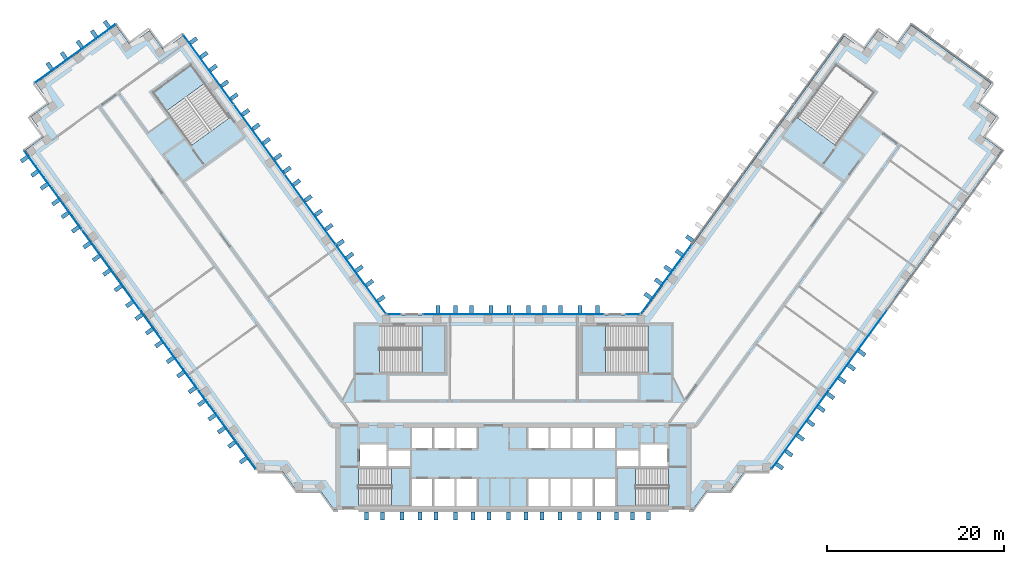
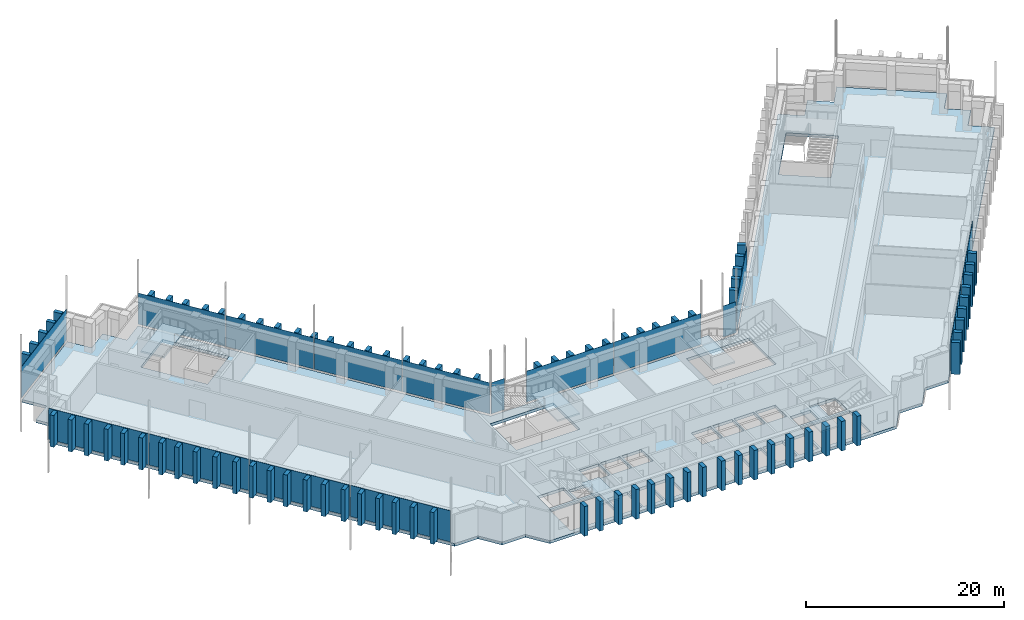
# One storey, part 8 of 18: 103 plates, 6 slabs, 13 elements without a shape of their own.
"""IFC4 building model written with IfcOpenShell, lengths in metres."""

from ifc_helpers import new_model, si_unit, direction, frame, origin, origin_2d, place, context, subcontext, project, spatial, polyline, rectangle, outline, extrude, material, layer, layer_set, type_object, element, aggregate, save


model = new_model("IFC4")

# Units and contexts
model_context = context("Model", 3, precision=1e-05, world=origin(), true_north=direction((0.0, 1.0)))
body_context = subcontext(model_context, "Body", "Model", "MODEL_VIEW")
ifc_project = project(units=[si_unit("LENGTHUNIT", "METRE"), si_unit("AREAUNIT", "SQUARE_METRE"), si_unit("VOLUMEUNIT", "CUBIC_METRE"), si_unit("PLANEANGLEUNIT", "RADIAN"), si_unit("MASSUNIT", "GRAM", prefix="KILO")], contexts=[model_context])

# Site, building, storey
site_placement = place(None, origin())
site = spatial("IfcSite", under=ifc_project, at=site_placement, CompositionType="ELEMENT")
building_placement = place(site_placement, origin())
building = spatial("IfcBuilding", under=site, at=building_placement, Name="Quipu Civic Tower", CompositionType="ELEMENT")
storey_placement = place(building_placement, frame((0.0, 0.0, 71.0)))
storey = spatial("IfcBuildingStorey", under=building, at=storey_placement, Name="L16", CompositionType="ELEMENT", Elevation=71.0)

# Slab
ifc_material_1 = material(Name="Concrete C40/50", Category="concrete")
ifc_layer_1 = layer(ifc_material_1, 0.35009765625)
ifc_layer_set_1 = layer_set([ifc_layer_1], Name="Concrete C40/50")
slab_type_1 = type_object("IfcSlabType", Name="Floor slab 350 C40/50", PredefinedType="FLOOR", material=ifc_layer_set_1)
slab_1_placement = place(storey_placement, frame((0.0, 0.0, -0.35009765625)))
element("IfcSlab", 1, at=slab_1_placement, inside=storey, type_object=slab_type_1, Name="Floor slab L16", PredefinedType="FLOOR", context=body_context, shape_type="SweptSolid", body=[
    extrude(outline(polyline([(37.31494140625, 42.550048828125), (39.5, 40.9599609375), (41.0849609375, 43.14501953125), (43.27001953125, 41.56005859375), (44.860107421875, 43.739990234375), (53.919921875, 37.159912109375), (52.3349609375, 34.97509765625), (54.514892578125, 33.389892578125), (52.929931640625, 31.205078125), (55.114990234375, 29.614990234375), (28.780029296875, -6.6298828125), (26.080078125, -6.6298828125), (24.489990234375, -8.81494140625), (21.7900390625, -8.81494140625), (20.205078125, -11.0), (-20.205078125, -11.0), (-21.7900390625, -8.81494140625), (-24.489990234375, -8.81494140625), (-26.080078125, -6.6298828125), (-28.780029296875, -6.6298828125), (-55.114990234375, 29.614990234375), (-52.929931640625, 31.205078125), (-54.514892578125, 33.389892578125), (-52.3349609375, 34.97509765625), (-53.919921875, 37.159912109375), (-44.860107421875, 43.739990234375), (-43.27001953125, 41.56005859375), (-41.0849609375, 43.14501953125), (-39.5, 40.9599609375), (-37.31494140625, 42.550048828125), (-14.39501953125, 11.0), (14.39501953125, 11.0), (37.31494140625, 42.550048828125)]), holes=[polyline([(-11.449951171875, -7.5), (-11.449951171875, -10.5), (-9.14990234375, -10.5), (-9.14990234375, -7.5), (-11.449951171875, -7.5)]), polyline([(-6.64990234375, -7.5), (-8.949951171875, -7.5), (-8.949951171875, -10.5), (-6.64990234375, -10.5), (-6.64990234375, -7.5)]), polyline([(-4.14990234375, -7.5), (-6.449951171875, -7.5), (-6.449951171875, -10.5), (-4.14990234375, -10.5), (-4.14990234375, -7.5)]), polyline([(1.64990234375, -7.5), (1.64990234375, -10.5), (3.949951171875, -10.5), (3.949951171875, -7.5), (1.64990234375, -7.5)]), polyline([(-11.705078125, -10.4951171875), (-11.705078125, -6.2548828125), (-17.4951171875, -6.2548828125), (-17.4951171875, -10.4951171875), (-11.705078125, -10.4951171875)]), polyline([(-11.699951171875, -4.25), (-14.10009765625, -4.25), (-14.10009765625, -6.0), (-11.699951171875, -6.0), (-11.699951171875, -4.25)]), polyline([(-17.35009765625, -3.60009765625), (-17.35009765625, -6.0), (-14.35009765625, -6.0), (-14.35009765625, -3.60009765625), (-17.35009765625, -3.60009765625)]), polyline([(-9.14990234375, -1.699951171875), (-11.449951171875, -1.699951171875), (-11.449951171875, -4.0), (-9.14990234375, -4.0), (-9.14990234375, -1.699951171875)]), polyline([(-6.64990234375, -1.699951171875), (-8.949951171875, -1.699951171875), (-8.949951171875, -4.0), (-6.64990234375, -4.0), (-6.64990234375, -1.699951171875)]), polyline([(-6.449951171875, -1.699951171875), (-6.449951171875, -4.0), (-4.14990234375, -4.0), (-4.14990234375, -1.699951171875), (-6.449951171875, -1.699951171875)]), polyline([(-7.7548828125, 4.5048828125), (-7.7548828125, 9.844970703125), (-15.14501953125, 9.844970703125), (-15.14501953125, 4.5048828125), (-7.7548828125, 4.5048828125)]), polyline([(-36.364990234375, 39.27490234375), (-40.68505859375, 36.135009765625), (-36.344970703125, 30.159912109375), (-32.02490234375, 33.300048828125), (-36.364990234375, 39.27490234375)]), polyline([(4.14990234375, -7.5), (4.14990234375, -10.5), (6.449951171875, -10.5), (6.449951171875, -7.5), (4.14990234375, -7.5)]), polyline([(8.949951171875, -7.5), (6.64990234375, -7.5), (6.64990234375, -10.5), (8.949951171875, -10.5), (8.949951171875, -7.5)]), polyline([(11.449951171875, -7.5), (9.14990234375, -7.5), (9.14990234375, -10.5), (11.449951171875, -10.5), (11.449951171875, -7.5)]), polyline([(11.705078125, -10.4951171875), (17.4951171875, -10.4951171875), (17.4951171875, -6.2548828125), (11.705078125, -6.2548828125), (11.705078125, -10.4951171875)]), polyline([(14.10009765625, -4.25), (11.699951171875, -4.25), (11.699951171875, -6.0), (14.10009765625, -6.0), (14.10009765625, -4.25)]), polyline([(17.35009765625, -3.60009765625), (14.35009765625, -3.60009765625), (14.35009765625, -6.0), (17.35009765625, -6.0), (17.35009765625, -3.60009765625)]), polyline([(1.64990234375, -1.699951171875), (1.64990234375, -4.0), (3.949951171875, -4.0), (3.949951171875, -1.699951171875), (1.64990234375, -1.699951171875)]), polyline([(6.449951171875, -1.699951171875), (4.14990234375, -1.699951171875), (4.14990234375, -4.0), (6.449951171875, -4.0), (6.449951171875, -1.699951171875)]), polyline([(8.949951171875, -1.699951171875), (6.64990234375, -1.699951171875), (6.64990234375, -4.0), (8.949951171875, -4.0), (8.949951171875, -1.699951171875)]), polyline([(9.14990234375, -1.699951171875), (9.14990234375, -4.0), (11.449951171875, -4.0), (11.449951171875, -1.699951171875), (9.14990234375, -1.699951171875)]), polyline([(7.7548828125, 9.844970703125), (7.7548828125, 4.5048828125), (15.14501953125, 4.5048828125), (15.14501953125, 9.844970703125), (7.7548828125, 9.844970703125)]), polyline([(40.68505859375, 36.135009765625), (36.364990234375, 39.27490234375), (32.02490234375, 33.300048828125), (36.344970703125, 30.159912109375), (40.68505859375, 36.135009765625)])]), origin(), (0.0, 0.0, 1.0), 0.35009765625),
])

# Curtain wall, plates
ifc_material_2 = material(Name="Insulated glass unit", Category="glass")
curtain_wall_type = type_object("IfcCurtainWallType", Name="Office curtain wall CW1", PredefinedType="NOTDEFINED", material=ifc_material_2)
curtain_wall_1_placement = place(storey_placement, origin())
curtain_wall_1 = element("IfcCurtainWall", 2, at=curtain_wall_1_placement, inside=storey, type_object=curtain_wall_type, Name="Office curtain wall CW1 L15 run 1", PredefinedType="NOTDEFINED")
ifc_material_3 = material(Name="Insulated glass unit", Category="glass")
ifc_layer_2 = layer(ifc_material_3, 0.028076171875)
ifc_layer_set_2 = layer_set([ifc_layer_2], Name="Insulated glass unit")
plate_type_1 = type_object("IfcPlateType", Name="Glass panel CW1", PredefinedType="CURTAIN_PANEL", material=ifc_layer_set_2)
plate_1_placement = place(storey_placement, frame((-17.224609375, 15.064697265625, 0.16015625), z_axis=(0.0, 0.0, 1.0), x_axis=(-0.587785887566, 0.809016532822, 0.0)))
plate_1 = element("IfcPlate", 3, at=plate_1_placement, type_object=plate_type_1, Name="CW1 panel 1.2", PredefinedType="CURTAIN_PANEL", context=body_context, shape_type="SweptSolid", body=[
    extrude(rectangle(XDim=9.64111328125, YDim=0.028076171875, at=origin_2d()), origin(), (0.0, 0.0, 1.0), 3.840087890625),
])
plate_2_placement = place(storey_placement, frame((-22.950439453125, 22.9453125, 0.16015625), z_axis=(0.0, 0.0, 1.0), x_axis=(-0.587785887566, 0.809016532822, 0.0)))
plate_2 = element("IfcPlate", 4, at=plate_2_placement, type_object=plate_type_1, Name="CW1 panel 2.2", PredefinedType="CURTAIN_PANEL", context=body_context, shape_type="SweptSolid", body=[
    extrude(rectangle(XDim=9.68115234375, YDim=0.028076171875, at=origin_2d()), origin(), (0.0, 0.0, 1.0), 3.840087890625),
])
plate_3_placement = place(storey_placement, frame((-28.687744140625, 30.84228515625, 0.16015625), z_axis=(0.0, 0.0, 1.0), x_axis=(-0.587785887566, 0.809016532822, 0.0)))
plate_3 = element("IfcPlate", 5, at=plate_3_placement, type_object=plate_type_1, Name="CW1 panel 3.2", PredefinedType="CURTAIN_PANEL", context=body_context, shape_type="SweptSolid", body=[
    extrude(rectangle(XDim=9.68115234375, YDim=0.028076171875, at=origin_2d()), origin(), (0.0, 0.0, 1.0), 3.840087890625),
])
plate_4_placement = place(storey_placement, frame((-34.413330078125, 38.722900390625, 0.16015625), z_axis=(0.0, 0.0, 1.0), x_axis=(-0.587785887566, 0.809016532822, 0.0)))
plate_4 = element("IfcPlate", 6, at=plate_4_placement, type_object=plate_type_1, Name="CW1 panel 4.2", PredefinedType="CURTAIN_PANEL", context=body_context, shape_type="SweptSolid", body=[
    extrude(rectangle(XDim=9.64111328125, YDim=0.028076171875, at=origin_2d()), origin(), (0.0, 0.0, 1.0), 3.840087890625),
])
aggregate(curtain_wall_1, [plate_1, plate_2, plate_3, plate_4])

# Curtain wall, plate
curtain_wall_2_placement = place(storey_placement, origin())
curtain_wall_2 = element("IfcCurtainWall", 7, at=curtain_wall_2_placement, inside=storey, type_object=curtain_wall_type, Name="Office curtain wall CW1 L15 run 6", PredefinedType="NOTDEFINED")
plate_5_placement = place(storey_placement, frame((-49.447998046875, 40.53173828125, 0.16015625), z_axis=(0.0, 0.0, 1.0), x_axis=(-0.809019348124, -0.587782012621, 0.0)))
plate_5 = element("IfcPlate", 8, at=plate_5_placement, type_object=plate_type_1, Name="CW1 panel 1.2", PredefinedType="CURTAIN_PANEL", context=body_context, shape_type="SweptSolid", body=[
    extrude(rectangle(XDim=11.239990234375, YDim=0.028076171875, at=origin_2d()), origin(), (0.0, 0.0, 1.0), 3.840087890625),
])
aggregate(curtain_wall_2, [plate_5])

# Curtain wall, plates
curtain_wall_3_placement = place(storey_placement, origin())
curtain_wall_3 = element("IfcCurtainWall", 9, at=curtain_wall_3_placement, inside=storey, type_object=curtain_wall_type, Name="Office curtain wall CW1 L15 run 8", PredefinedType="NOTDEFINED")
plate_6_placement = place(storey_placement, frame((-51.967529296875, 25.114990234375, 0.16015625), z_axis=(0.0, 0.0, 1.0), x_axis=(0.587785559869, -0.809016770908, 0.0)))
plate_6 = element("IfcPlate", 10, at=plate_6_placement, type_object=plate_type_1, Name="CW1 panel 1.2", PredefinedType="CURTAIN_PANEL", context=body_context, shape_type="SweptSolid", body=[
    extrude(rectangle(XDim=11.022705078125, YDim=0.028076171875, at=origin_2d()), origin(), (0.0, 0.0, 1.0), 3.840087890625),
])
plate_7_placement = place(storey_placement, frame((-45.4296875, 16.11669921875, 0.16015625), z_axis=(0.0, 0.0, 1.0), x_axis=(0.587785559869, -0.809016770908, 0.0)))
plate_7 = element("IfcPlate", 11, at=plate_7_placement, type_object=plate_type_1, Name="CW1 panel 2.2", PredefinedType="CURTAIN_PANEL", context=body_context, shape_type="SweptSolid", body=[
    extrude(rectangle(XDim=11.062744140625, YDim=0.028076171875, at=origin_2d()), origin(), (0.0, 0.0, 1.0), 3.840087890625),
])
plate_8_placement = place(storey_placement, frame((-38.880126953125, 7.101806640625, 0.16015625), z_axis=(0.0, 0.0, 1.0), x_axis=(0.587785559869, -0.809016770908, 0.0)))
plate_8 = element("IfcPlate", 12, at=plate_8_placement, type_object=plate_type_1, Name="CW1 panel 3.2", PredefinedType="CURTAIN_PANEL", context=body_context, shape_type="SweptSolid", body=[
    extrude(rectangle(XDim=11.062744140625, YDim=0.028076171875, at=origin_2d()), origin(), (0.0, 0.0, 1.0), 3.840087890625),
])
plate_9_placement = place(storey_placement, frame((-32.342529296875, -1.896484375, 0.16015625), z_axis=(0.0, 0.0, 1.0), x_axis=(0.587785559869, -0.809016770908, 0.0)))
plate_9 = element("IfcPlate", 13, at=plate_9_placement, type_object=plate_type_1, Name="CW1 panel 4.2", PredefinedType="CURTAIN_PANEL", context=body_context, shape_type="SweptSolid", body=[
    extrude(rectangle(XDim=11.022705078125, YDim=0.028076171875, at=origin_2d()), origin(), (0.0, 0.0, 1.0), 3.840087890625),
])
aggregate(curtain_wall_3, [plate_6, plate_7, plate_8, plate_9])

curtain_wall_4_placement = place(storey_placement, origin())
curtain_wall_4 = element("IfcCurtainWall", 14, at=curtain_wall_4_placement, inside=storey, type_object=curtain_wall_type, Name="Office curtain wall CW1 L15 run 20", PredefinedType="NOTDEFINED")
plate_10_placement = place(storey_placement, frame((32.342529296875, -1.896484375, 0.16015625), z_axis=(0.0, 0.0, 1.0), x_axis=(0.587785559869, 0.809016770908, 0.0)))
plate_10 = element("IfcPlate", 15, at=plate_10_placement, type_object=plate_type_1, Name="CW1 panel 1.2", PredefinedType="CURTAIN_PANEL", context=body_context, shape_type="SweptSolid", body=[
    extrude(rectangle(XDim=11.022705078125, YDim=0.028076171875, at=origin_2d()), origin(), (0.0, 0.0, 1.0), 3.840087890625),
])
plate_11_placement = place(storey_placement, frame((38.880126953125, 7.101806640625, 0.16015625), z_axis=(0.0, 0.0, 1.0), x_axis=(0.587785559869, 0.809016770908, 0.0)))
plate_11 = element("IfcPlate", 16, at=plate_11_placement, type_object=plate_type_1, Name="CW1 panel 2.2", PredefinedType="CURTAIN_PANEL", context=body_context, shape_type="SweptSolid", body=[
    extrude(rectangle(XDim=11.062744140625, YDim=0.028076171875, at=origin_2d()), origin(), (0.0, 0.0, 1.0), 3.840087890625),
])
aggregate(curtain_wall_4, [plate_10, plate_11])

# Curtain wall, plate
curtain_wall_5_placement = place(storey_placement, origin())
curtain_wall_5 = element("IfcCurtainWall", 17, at=curtain_wall_5_placement, inside=storey, type_object=curtain_wall_type, Name="Office curtain wall CW1 L15 run 30", PredefinedType="NOTDEFINED")
plate_12_placement = place(storey_placement, frame((17.224609375, 15.064697265625, 0.16015625), z_axis=(0.0, 0.0, 1.0), x_axis=(-0.587785887566, -0.809016532822, 0.0)))
plate_12 = element("IfcPlate", 18, at=plate_12_placement, type_object=plate_type_1, Name="CW1 panel 4.2", PredefinedType="CURTAIN_PANEL", context=body_context, shape_type="SweptSolid", body=[
    extrude(rectangle(XDim=9.64111328125, YDim=0.028076171875, at=origin_2d()), origin(), (0.0, 0.0, 1.0), 3.840087890625),
])
aggregate(curtain_wall_5, [plate_12])

curtain_wall_6_placement = place(storey_placement, origin())
curtain_wall_6 = element("IfcCurtainWall", 19, at=curtain_wall_6_placement, inside=storey, type_object=curtain_wall_type, Name="Office curtain wall CW1 L15 run 31", PredefinedType="NOTDEFINED")
plate_13_placement = place(storey_placement, frame((13.49951171875, 11.10009765625, 0.16015625), z_axis=(0.0, 0.0, 1.0), x_axis=(-1.0, 0.0, 0.0)))
plate_13 = element("IfcPlate", 20, at=plate_13_placement, type_object=plate_type_1, Name="CW1 panel 1.2", PredefinedType="CURTAIN_PANEL", context=body_context, shape_type="SweptSolid", body=[
    extrude(rectangle(XDim=1.529296875, YDim=0.028076171875, at=origin_2d()), origin(), (0.0, 0.0, 1.0), 3.840087890625),
])
aggregate(curtain_wall_6, [plate_13])

# Curtain wall, plates
curtain_wall_7_placement = place(storey_placement, origin())
curtain_wall_7 = element("IfcCurtainWall", 21, at=curtain_wall_7_placement, inside=storey, type_object=curtain_wall_type, Name="Office curtain wall CW1 L15 run 33", PredefinedType="NOTDEFINED")
plate_14_placement = place(storey_placement, frame((5.11181640625, 11.10009765625, 0.16015625), z_axis=(0.0, 0.0, 1.0), x_axis=(-1.0, 0.0, 0.0)))
plate_14 = element("IfcPlate", 22, at=plate_14_placement, type_object=plate_type_1, Name="CW1 panel 1.2", PredefinedType="CURTAIN_PANEL", context=body_context, shape_type="SweptSolid", body=[
    extrude(rectangle(XDim=10.1435546875, YDim=0.028076171875, at=origin_2d()), origin(), (0.0, 0.0, 1.0), 3.840087890625),
])
plate_15_placement = place(storey_placement, frame((-5.11181640625, 11.10009765625, 0.16015625), z_axis=(0.0, 0.0, 1.0), x_axis=(-1.0, 0.0, 0.0)))
plate_15 = element("IfcPlate", 23, at=plate_15_placement, type_object=plate_type_1, Name="CW1 panel 2.2", PredefinedType="CURTAIN_PANEL", context=body_context, shape_type="SweptSolid", body=[
    extrude(rectangle(XDim=10.1435546875, YDim=0.028076171875, at=origin_2d()), origin(), (0.0, 0.0, 1.0), 3.840087890625),
])
aggregate(curtain_wall_7, [plate_14, plate_15])

# Curtain wall, plate
curtain_wall_8_placement = place(storey_placement, origin())
curtain_wall_8 = element("IfcCurtainWall", 24, at=curtain_wall_8_placement, inside=storey, type_object=curtain_wall_type, Name="Office curtain wall CW1 L15 run 35", PredefinedType="NOTDEFINED")
plate_16_placement = place(storey_placement, frame((-13.49951171875, 11.10009765625, 0.16015625), z_axis=(0.0, 0.0, 1.0), x_axis=(-1.0, 0.0, 0.0)))
plate_16 = element("IfcPlate", 25, at=plate_16_placement, type_object=plate_type_1, Name="CW1 panel 1.2", PredefinedType="CURTAIN_PANEL", context=body_context, shape_type="SweptSolid", body=[
    extrude(rectangle(XDim=1.529296875, YDim=0.028076171875, at=origin_2d()), origin(), (0.0, 0.0, 1.0), 3.840087890625),
])
aggregate(curtain_wall_8, [plate_16])

# Plates
ifc_material_4 = material(Name="Precast concrete C40/50", Category="concrete")
plate_type_2 = type_object("IfcPlateType", Name="Precast fin F1", PredefinedType="SHEET", material=ifc_material_4)
for number, where, z_axis, x_axis, name in (
    (26, (-14.942138671875, 12.8583984375, 0.080078125), (0.0, 0.0, 1.0), (-0.587784944053, 0.809017218324, 0.0), "Precast fin F1 L16.P04.1"),
    (27, (-16.235107421875, 14.638427734375, 0.080078125), (0.0, 0.0, 1.0), (-0.587784944053, 0.809017218324, 0.0), "Precast fin F1 L16.P04.2"),
    (28, (-17.41064453125, 16.25634765625, 0.080078125), (0.0, 0.0, 1.0), (-0.587784944053, 0.809017218324, 0.0), "Precast fin F1 L16.P04.3"),
    (29, (-18.46875, 17.712646484375, 0.080078125), (0.0, 0.0, 1.0), (-0.587784944053, 0.809017218324, 0.0), "Precast fin F1 L16.P04.4"),
    (30, (-19.52685546875, 19.1689453125, 0.080078125), (0.0, 0.0, 1.0), (-0.587784944053, 0.809017218324, 0.0), "Precast fin F1 L16.P04.5"),
    (31, (-20.81982421875, 20.94873046875, 0.080078125), (0.0, 0.0, 1.0), (-0.587784944053, 0.809017218324, 0.0), "Precast fin F1 L16.P04.6"),
    (32, (-21.995361328125, 22.566650390625, 0.080078125), (0.0, 0.0, 1.0), (-0.587784944053, 0.809017218324, 0.0), "Precast fin F1 L16.P04.7"),
    (33, (-23.171142578125, 24.184814453125, 0.080078125), (0.0, 0.0, 1.0), (-0.587784944053, 0.809017218324, 0.0), "Precast fin F1 L16.P04.8"),
    (34, (-24.464111328125, 25.964599609375, 0.080078125), (0.0, 0.0, 1.0), (-0.587784944053, 0.809017218324, 0.0), "Precast fin F1 L16.P04.9"),
    (35, (-25.522216796875, 27.4208984375, 0.080078125), (0.0, 0.0, 1.0), (-0.587784944053, 0.809017218324, 0.0), "Precast fin F1 L16.P04.10"),
    (36, (-26.580078125, 28.876953125, 0.080078125), (0.0, 0.0, 1.0), (-0.587784944053, 0.809017218324, 0.0), "Precast fin F1 L16.P04.11"),
    (37, (-27.873291015625, 30.656982421875, 0.080078125), (0.0, 0.0, 1.0), (-0.587784944053, 0.809017218324, 0.0), "Precast fin F1 L16.P04.12"),
    (38, (-29.048828125, 32.27490234375, 0.080078125), (0.0, 0.0, 1.0), (-0.587784944053, 0.809017218324, 0.0), "Precast fin F1 L16.P04.13"),
    (39, (-30.224365234375, 33.89306640625, 0.080078125), (0.0, 0.0, 1.0), (-0.587784944053, 0.809017218324, 0.0), "Precast fin F1 L16.P04.14"),
    (40, (-31.517578125, 35.6728515625, 0.080078125), (0.0, 0.0, 1.0), (-0.587784944053, 0.809017218324, 0.0), "Precast fin F1 L16.P04.15"),
    (41, (-32.57568359375, 37.129150390625, 0.080078125), (0.0, 0.0, 1.0), (-0.587784944053, 0.809017218324, 0.0), "Precast fin F1 L16.P04.16"),
    (42, (-33.86865234375, 38.908935546875, 0.080078125), (0.0, 0.0, 1.0), (-0.587784944053, 0.809017218324, 0.0), "Precast fin F1 L16.P04.17"),
    (43, (-34.9267578125, 40.364990234375, 0.080078125), (0.0, 0.0, 1.0), (-0.587784944053, 0.809017218324, 0.0), "Precast fin F1 L16.P04.18"),
    (44, (-36.102294921875, 41.983154296875, 0.080078125), (0.0, 0.0, 1.0), (-0.587784944053, 0.809017218324, 0.0), "Precast fin F1 L16.P04.19"),
    (45, (-45.867919921875, 43.812744140625, 0.080078125), (0.0, 0.0, 1.0), (-0.809021318545, -0.587779300537, 0.0), "Precast fin F1 L16.P09.1"),
    (46, (-47.323974609375, 42.754638671875, 0.080078125), (0.0, 0.0, 1.0), (-0.809021318545, -0.587779300537, 0.0), "Precast fin F1 L16.P09.2"),
    (47, (-48.942138671875, 41.5791015625, 0.080078125), (0.0, 0.0, 1.0), (-0.809021318545, -0.587779300537, 0.0), "Precast fin F1 L16.P09.3"),
    (48, (-50.721923828125, 40.2861328125, 0.080078125), (0.0, 0.0, 1.0), (-0.809021318545, -0.587779300537, 0.0), "Precast fin F1 L16.P09.4"),
    (49, (-52.340087890625, 39.110595703125, 0.080078125), (0.0, 0.0, 1.0), (-0.809021318545, -0.587779300537, 0.0), "Precast fin F1 L16.P09.5"),
    (50, (-55.184814453125, 28.607421875, 0.080078125), (0.0, 0.0, 1.0), (0.587785716149, -0.809016657363, 0.0), "Precast fin F1 L16.P11.1"),
    (51, (-54.00927734375, 26.989501953125, 0.080078125), (0.0, 0.0, 1.0), (0.587785716149, -0.809016657363, 0.0), "Precast fin F1 L16.P11.2"),
    (52, (-52.951171875, 25.533203125, 0.080078125), (0.0, 0.0, 1.0), (0.587785716149, -0.809016657363, 0.0), "Precast fin F1 L16.P11.3"),
    (53, (-51.657958984375, 23.75341796875, 0.080078125), (0.0, 0.0, 1.0), (0.587785716149, -0.809016657363, 0.0), "Precast fin F1 L16.P11.4"),
    (54, (-50.60009765625, 22.297119140625, 0.080078125), (0.0, 0.0, 1.0), (0.587785716149, -0.809016657363, 0.0), "Precast fin F1 L16.P11.5"),
    (55, (-49.42431640625, 20.67919921875, 0.080078125), (0.0, 0.0, 1.0), (0.587785716149, -0.809016657363, 0.0), "Precast fin F1 L16.P11.6"),
    (56, (-48.13134765625, 18.899169921875, 0.080078125), (0.0, 0.0, 1.0), (0.587785716149, -0.809016657363, 0.0), "Precast fin F1 L16.P11.7"),
    (57, (-47.0732421875, 17.443115234375, 0.080078125), (0.0, 0.0, 1.0), (0.587785716149, -0.809016657363, 0.0), "Precast fin F1 L16.P11.8"),
    (58, (-45.897705078125, 15.824951171875, 0.080078125), (0.0, 0.0, 1.0), (0.587785716149, -0.809016657363, 0.0), "Precast fin F1 L16.P11.9"),
    (59, (-44.6044921875, 14.045166015625, 0.080078125), (0.0, 0.0, 1.0), (0.587785716149, -0.809016657363, 0.0), "Precast fin F1 L16.P11.10"),
    (60, (-43.3115234375, 12.265380859375, 0.080078125), (0.0, 0.0, 1.0), (0.587785716149, -0.809016657363, 0.0), "Precast fin F1 L16.P11.11"),
    (61, (-42.25341796875, 10.80908203125, 0.080078125), (0.0, 0.0, 1.0), (0.587785716149, -0.809016657363, 0.0), "Precast fin F1 L16.P11.12"),
    (62, (-41.077880859375, 9.191162109375, 0.080078125), (0.0, 0.0, 1.0), (0.587785716149, -0.809016657363, 0.0), "Precast fin F1 L16.P11.13"),
    (63, (-40.019775390625, 7.73486328125, 0.080078125), (0.0, 0.0, 1.0), (0.587785716149, -0.809016657363, 0.0), "Precast fin F1 L16.P11.14"),
    (64, (-38.726806640625, 5.955078125, 0.080078125), (0.0, 0.0, 1.0), (0.587785716149, -0.809016657363, 0.0), "Precast fin F1 L16.P11.15"),
    (65, (-37.55126953125, 4.3369140625, 0.080078125), (0.0, 0.0, 1.0), (0.587785716149, -0.809016657363, 0.0), "Precast fin F1 L16.P11.16"),
    (66, (-36.258056640625, 2.55712890625, 0.080078125), (0.0, 0.0, 1.0), (0.587785716149, -0.809016657363, 0.0), "Precast fin F1 L16.P11.17"),
    (67, (-35.199951171875, 1.100830078125, 0.080078125), (0.0, 0.0, 1.0), (0.587785716149, -0.809016657363, 0.0), "Precast fin F1 L16.P11.18"),
    (68, (-34.0244140625, -0.51708984375, 0.080078125), (0.0, 0.0, 1.0), (0.587785716149, -0.809016657363, 0.0), "Precast fin F1 L16.P11.19"),
    (69, (-32.96630859375, -1.973388671875, 0.080078125), (0.0, 0.0, 1.0), (0.587785716149, -0.809016657363, 0.0), "Precast fin F1 L16.P11.20"),
    (70, (-31.790771484375, -3.59130859375, 0.080078125), (0.0, 0.0, 1.0), (0.587785716149, -0.809016657363, 0.0), "Precast fin F1 L16.P11.21"),
    (71, (-30.497802734375, -5.371337890625, 0.080078125), (0.0, 0.0, 1.0), (0.587785716149, -0.809016657363, 0.0), "Precast fin F1 L16.P11.22"),
):
    element("IfcPlate", number, at=place(storey_placement, frame(where, z_axis=z_axis, x_axis=x_axis)), inside=storey, type_object=plate_type_2, Name=name, PredefinedType="SHEET", context=body_context, shape_type="SweptSolid", body=[
        extrude(rectangle(XDim=0.449951171875, YDim=0.89990234375, at=origin_2d()), origin(), (0.0, 0.0, 1.0), 3.919921875),
    ])
for number, where, z_axis, x_axis, name in (
    (72, (-16.574951171875, -11.637939453125, 0.0), (0.0, 0.0, 1.0), (1.0, 0.0, 0.0), "Precast fin F1 L16.P18.1"),
    (73, (-14.77490234375, -11.637939453125, 0.0), (0.0, 0.0, 1.0), (1.0, 0.0, 0.0), "Precast fin F1 L16.P18.2"),
    (74, (-12.574951171875, -11.637939453125, 0.0), (0.0, 0.0, 1.0), (1.0, 0.0, 0.0), "Precast fin F1 L16.P18.3"),
    (75, (-10.574951171875, -11.637939453125, 0.0), (0.0, 0.0, 1.0), (1.0, 0.0, 0.0), "Precast fin F1 L16.P18.4"),
    (76, (-8.77490234375, -11.637939453125, 0.0), (0.0, 0.0, 1.0), (1.0, 0.0, 0.0), "Precast fin F1 L16.P18.5"),
    (77, (-6.574951171875, -11.637939453125, 0.0), (0.0, 0.0, 1.0), (1.0, 0.0, 0.0), "Precast fin F1 L16.P18.6"),
    (78, (-4.574951171875, -11.637939453125, 0.0), (0.0, 0.0, 1.0), (1.0, 0.0, 0.0), "Precast fin F1 L16.P18.7"),
    (79, (-2.77490234375, -11.637939453125, 0.0), (0.0, 0.0, 1.0), (1.0, 0.0, 0.0), "Precast fin F1 L16.P18.8"),
    (80, (-0.574951171875, -11.637939453125, 0.0), (0.0, 0.0, 1.0), (1.0, 0.0, 0.0), "Precast fin F1 L16.P18.9"),
    (81, (1.425048828125, -11.637939453125, 0.0), (0.0, 0.0, 1.0), (1.0, 0.0, 0.0), "Precast fin F1 L16.P18.10"),
    (82, (3.22509765625, -11.637939453125, 0.0), (0.0, 0.0, 1.0), (1.0, 0.0, 0.0), "Precast fin F1 L16.P18.11"),
    (83, (5.22509765625, -11.637939453125, 0.0), (0.0, 0.0, 1.0), (1.0, 0.0, 0.0), "Precast fin F1 L16.P18.12"),
    (84, (7.425048828125, -11.637939453125, 0.0), (0.0, 0.0, 1.0), (1.0, 0.0, 0.0), "Precast fin F1 L16.P18.13"),
    (85, (9.625, -11.637939453125, 0.0), (0.0, 0.0, 1.0), (1.0, 0.0, 0.0), "Precast fin F1 L16.P18.14"),
    (86, (11.625, -11.637939453125, 0.0), (0.0, 0.0, 1.0), (1.0, 0.0, 0.0), "Precast fin F1 L16.P18.15"),
    (87, (13.425048828125, -11.637939453125, 0.0), (0.0, 0.0, 1.0), (1.0, 0.0, 0.0), "Precast fin F1 L16.P18.16"),
    (88, (15.22509765625, -11.637939453125, 0.0), (0.0, 0.0, 1.0), (1.0, 0.0, 0.0), "Precast fin F1 L16.P18.17"),
):
    element("IfcPlate", number, at=place(storey_placement, frame(where, z_axis=z_axis, x_axis=x_axis)), inside=storey, type_object=plate_type_2, Name=name, PredefinedType="SHEET", context=body_context, shape_type="SweptSolid", body=[
        extrude(rectangle(XDim=0.449951171875, YDim=0.89990234375, at=origin_2d()), origin(), (0.0, 0.0, 1.0), 3.64990234375),
    ])
for number, where, z_axis, x_axis, name in (
    (89, (30.014892578125, -6.03564453125, 0.080078125), (0.0, 0.0, 1.0), (0.587785716149, 0.809016657363, 0.0), "Precast fin F1 L16.P24.1"),
    (90, (31.072998046875, -4.57958984375, 0.080078125), (0.0, 0.0, 1.0), (0.587785716149, 0.809016657363, 0.0), "Precast fin F1 L16.P24.2"),
    (91, (32.365966796875, -2.7998046875, 0.080078125), (0.0, 0.0, 1.0), (0.587785716149, 0.809016657363, 0.0), "Precast fin F1 L16.P24.3"),
    (92, (33.541748046875, -1.181640625, 0.080078125), (0.0, 0.0, 1.0), (0.587785716149, 0.809016657363, 0.0), "Precast fin F1 L16.P24.4"),
    (93, (34.71728515625, 0.436279296875, 0.080078125), (0.0, 0.0, 1.0), (0.587785716149, 0.809016657363, 0.0), "Precast fin F1 L16.P24.5"),
    (94, (35.775146484375, 1.892578125, 0.080078125), (0.0, 0.0, 1.0), (0.587785716149, 0.809016657363, 0.0), "Precast fin F1 L16.P24.6"),
    (95, (37.068359375, 3.67236328125, 0.080078125), (0.0, 0.0, 1.0), (0.587785716149, 0.809016657363, 0.0), "Precast fin F1 L16.P24.7"),
    (96, (38.12646484375, 5.128662109375, 0.080078125), (0.0, 0.0, 1.0), (0.587785716149, 0.809016657363, 0.0), "Precast fin F1 L16.P24.8"),
    (97, (39.302001953125, 6.74658203125, 0.080078125), (0.0, 0.0, 1.0), (0.587785716149, 0.809016657363, 0.0), "Precast fin F1 L16.P24.9"),
    (98, (19.876708984375, 19.650390625, 0.080078125), (0.0, 0.0, 1.0), (-0.587784944053, -0.809017218324, 0.0), "Precast fin F1 L16.P34.15"),
    (99, (18.701171875, 18.032470703125, 0.080078125), (0.0, 0.0, 1.0), (-0.587784944053, -0.809017218324, 0.0), "Precast fin F1 L16.P34.16"),
    (100, (17.407958984375, 16.25244140625, 0.080078125), (0.0, 0.0, 1.0), (-0.587784944053, -0.809017218324, 0.0), "Precast fin F1 L16.P34.17"),
    (101, (16.349853515625, 14.79638671875, 0.080078125), (0.0, 0.0, 1.0), (-0.587784944053, -0.809017218324, 0.0), "Precast fin F1 L16.P34.18"),
    (102, (15.17431640625, 13.17822265625, 0.080078125), (0.0, 0.0, 1.0), (-0.587784944053, -0.809017218324, 0.0), "Precast fin F1 L16.P34.19"),
    (103, (9.47509765625, 11.64990234375, 0.080078125), (0.0, 0.0, 1.0), (-1.0, 0.0, 0.0), "Precast fin F1 L16.P37.1"),
    (104, (7.47509765625, 11.64990234375, 0.080078125), (0.0, 0.0, 1.0), (-1.0, 0.0, 0.0), "Precast fin F1 L16.P37.2"),
    (105, (5.27490234375, 11.64990234375, 0.080078125), (0.0, 0.0, 1.0), (-1.0, 0.0, 0.0), "Precast fin F1 L16.P37.3"),
    (106, (3.47509765625, 11.64990234375, 0.080078125), (0.0, 0.0, 1.0), (-1.0, 0.0, 0.0), "Precast fin F1 L16.P37.4"),
    (107, (1.675048828125, 11.64990234375, 0.080078125), (0.0, 0.0, 1.0), (-1.0, 0.0, 0.0), "Precast fin F1 L16.P37.5"),
    (108, (-0.52490234375, 11.64990234375, 0.080078125), (0.0, 0.0, 1.0), (-1.0, 0.0, 0.0), "Precast fin F1 L16.P37.6"),
    (109, (-2.52490234375, 11.64990234375, 0.080078125), (0.0, 0.0, 1.0), (-1.0, 0.0, 0.0), "Precast fin F1 L16.P37.7"),
    (110, (-4.72509765625, 11.64990234375, 0.080078125), (0.0, 0.0, 1.0), (-1.0, 0.0, 0.0), "Precast fin F1 L16.P37.8"),
    (111, (-6.52490234375, 11.64990234375, 0.080078125), (0.0, 0.0, 1.0), (-1.0, 0.0, 0.0), "Precast fin F1 L16.P37.9"),
    (112, (-8.52490234375, 11.64990234375, 0.080078125), (0.0, 0.0, 1.0), (-1.0, 0.0, 0.0), "Precast fin F1 L16.P37.10"),
):
    element("IfcPlate", number, at=place(storey_placement, frame(where, z_axis=z_axis, x_axis=x_axis)), inside=storey, type_object=plate_type_2, Name=name, PredefinedType="SHEET", context=body_context, shape_type="SweptSolid", body=[
        extrude(rectangle(XDim=0.449951171875, YDim=0.89990234375, at=origin_2d()), origin(), (0.0, 0.0, 1.0), 3.919921875),
    ])

# Stair, slab
ifc_material_5 = material(Name="Concrete C40/50", Category="concrete")
stair_type_1 = type_object("IfcStairType", Name="Half turn stair 2000", PredefinedType="HALF_TURN_STAIR", material=ifc_material_5)
stair_1_placement = place(storey_placement, origin())
stair_1 = element("IfcStair", 113, at=stair_1_placement, inside=storey, type_object=stair_type_1, Name="Exit stair 1", PredefinedType="HALF_TURN_STAIR")
ifc_material_6 = material(Name="Concrete C40/50", Category="concrete")
ifc_layer_3 = layer(ifc_material_6, 0.199951171875)
ifc_layer_set_3 = layer_set([ifc_layer_3], Name="Concrete C40/50")
slab_type_2 = type_object("IfcSlabType", Name="Stair landing 200", PredefinedType="LANDING", material=ifc_layer_set_3)
slab_2_placement = place(storey_placement, frame((0.0, 0.0, 1.800048828125)))
slab_2 = element("IfcSlab", 114, at=slab_2_placement, type_object=slab_type_2, Name="ST-1 landing 1", PredefinedType="LANDING", context=body_context, shape_type="SweptSolid", body=[
    extrude(outline(polyline([(-13.780029296875, -10.5), (-11.699951171875, -10.5), (-11.699951171875, -6.25), (-13.780029296875, -6.25), (-13.780029296875, -10.5)])), origin(), (0.0, 0.0, 1.0), 0.199951171875),
])
aggregate(stair_1, [slab_2])

stair_2_placement = place(storey_placement, origin())
stair_2 = element("IfcStair", 115, at=stair_2_placement, inside=storey, type_object=stair_type_1, Name="Exit stair 2", PredefinedType="HALF_TURN_STAIR")
slab_3_placement = place(storey_placement, frame((0.0, 0.0, 1.800048828125)))
slab_3 = element("IfcSlab", 116, at=slab_3_placement, type_object=slab_type_2, Name="ST-2 landing 1", PredefinedType="LANDING", context=body_context, shape_type="SweptSolid", body=[
    extrude(outline(polyline([(13.780029296875, -6.25), (11.699951171875, -6.25), (11.699951171875, -10.5), (13.780029296875, -10.5), (13.780029296875, -6.25)])), origin(), (0.0, 0.0, 1.0), 0.199951171875),
])
aggregate(stair_2, [slab_3])

ifc_material_7 = material(Name="Concrete C40/50", Category="concrete")
stair_type_2 = type_object("IfcStairType", Name="Half turn stair 2600", PredefinedType="HALF_TURN_STAIR", material=ifc_material_7)
stair_3_placement = place(storey_placement, origin())
stair_3 = element("IfcStair", 117, at=stair_3_placement, inside=storey, type_object=stair_type_2, Name="Exit stair 3", PredefinedType="HALF_TURN_STAIR")
slab_4_placement = place(storey_placement, frame((0.0, 0.0, 1.800048828125)))
slab_4 = element("IfcSlab", 118, at=slab_4_placement, type_object=slab_type_2, Name="ST-3 landing 1", PredefinedType="LANDING", context=body_context, shape_type="SweptSolid", body=[
    extrude(outline(polyline([(-10.35009765625, 4.5), (-7.75, 4.5), (-7.75, 9.85009765625), (-10.35009765625, 9.85009765625), (-10.35009765625, 4.5)])), origin(), (0.0, 0.0, 1.0), 0.199951171875),
])
aggregate(stair_3, [slab_4])

stair_4_placement = place(storey_placement, origin())
stair_4 = element("IfcStair", 119, at=stair_4_placement, inside=storey, type_object=stair_type_2, Name="Exit stair 4", PredefinedType="HALF_TURN_STAIR")
slab_5_placement = place(storey_placement, frame((0.0, 0.0, 1.800048828125)))
slab_5 = element("IfcSlab", 120, at=slab_5_placement, type_object=slab_type_2, Name="ST-4 landing 1", PredefinedType="LANDING", context=body_context, shape_type="SweptSolid", body=[
    extrude(outline(polyline([(10.35009765625, 9.85009765625), (7.75, 9.85009765625), (7.75, 4.5), (10.35009765625, 4.5), (10.35009765625, 9.85009765625)])), origin(), (0.0, 0.0, 1.0), 0.199951171875),
])
aggregate(stair_4, [slab_5])

stair_5_placement = place(storey_placement, origin())
stair_5 = element("IfcStair", 121, at=stair_5_placement, inside=storey, type_object=stair_type_2, Name="Exit stair 6", PredefinedType="HALF_TURN_STAIR")
slab_6_placement = place(storey_placement, frame((0.0, 0.0, 1.800048828125)))
slab_6 = element("IfcSlab", 122, at=slab_6_placement, type_object=slab_type_2, Name="ST-6 landing 1", PredefinedType="LANDING", context=body_context, shape_type="SweptSolid", body=[
    extrude(outline(polyline([(-34.837158203125, 37.179443359375), (-36.365478515625, 39.282958984375), (-40.69384765625, 36.138427734375), (-39.16552734375, 34.034912109375), (-34.837158203125, 37.179443359375)])), origin(), (0.0, 0.0, 1.0), 0.199951171875),
])
aggregate(stair_5, [slab_6])

save(model, "model.ifc")
